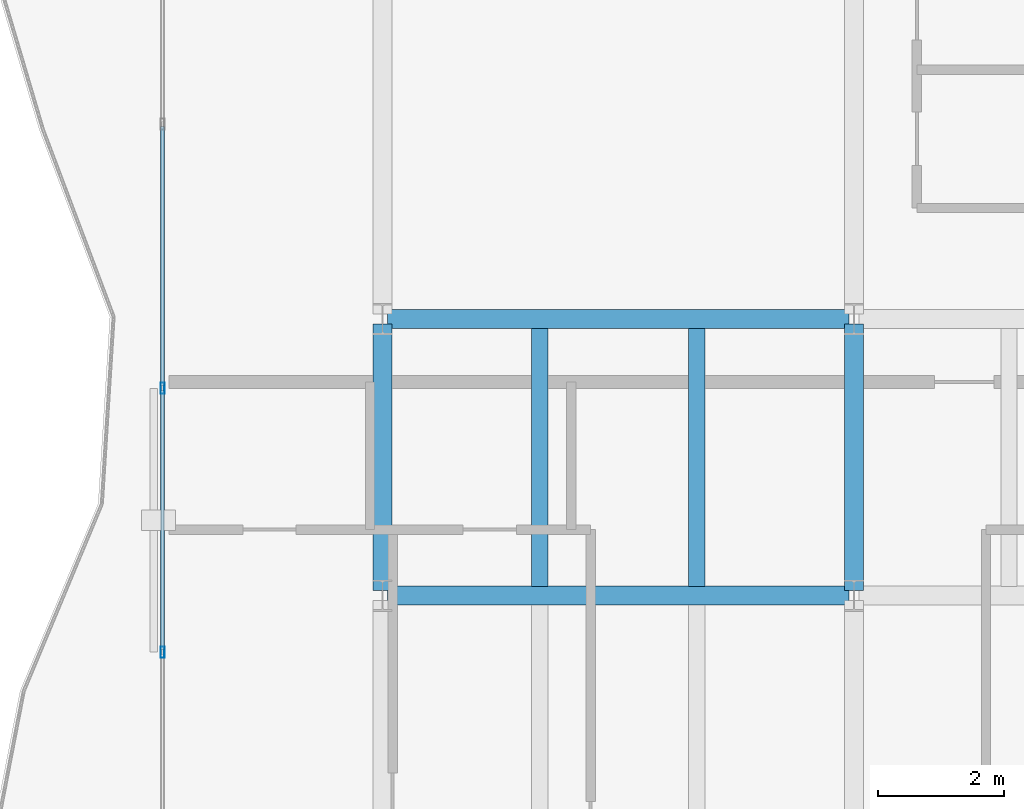
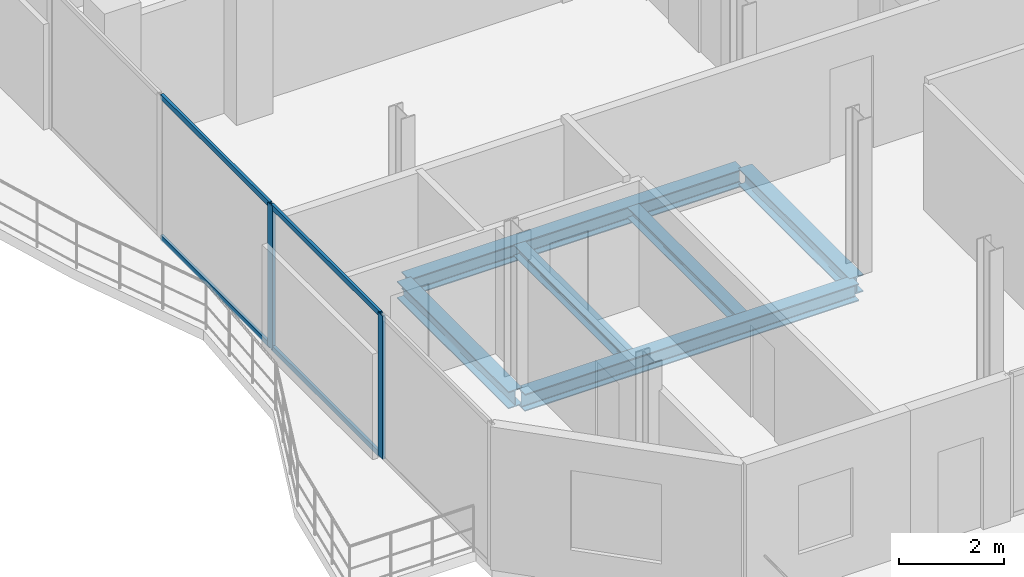
# One storey, part 5 of 23: 6 beams, 6 members, 1 element without a shape of its own.
"""IFC4 building model written with IfcOpenShell, lengths in metres."""

from ifc_helpers import new_model, si_unit, direction, frame, origin, origin_2d, place, context, subcontext, project, spatial, hollow_rectangle, i_section, extrude, material, layer, layer_set, material_profile, profile_set, type_object, element, aggregate, save


model = new_model("IFC4")

# Units and contexts
model_context = context("Model", 3, precision=1e-05, world=origin(), true_north=direction((0.0, 1.0)))
body_context = subcontext(model_context, "Body", "Model", "MODEL_VIEW")
ifc_project = project(units=[si_unit("LENGTHUNIT", "METRE"), si_unit("AREAUNIT", "SQUARE_METRE"), si_unit("VOLUMEUNIT", "CUBIC_METRE"), si_unit("PLANEANGLEUNIT", "RADIAN"), si_unit("MASSUNIT", "GRAM", prefix="KILO")], contexts=[model_context])

# Site, building, storey
site_placement = place(None, origin())
site = spatial("IfcSite", under=ifc_project, at=site_placement, CompositionType="ELEMENT")
building_placement = place(site_placement, origin())
building = spatial("IfcBuilding", under=site, at=building_placement, Name="Catumbela Crestline Tower", CompositionType="ELEMENT")
storey_placement = place(building_placement, frame((0.0, 0.0, 183.0)))
storey = spatial("IfcBuildingStorey", under=building, at=storey_placement, Name="L47", CompositionType="ELEMENT", Elevation=183.0)

# Beams
ifc_material_1 = material(Name="Structural steel S355J2", Category="steel")
ifc_material_profile_1 = material_profile(ifc_material_1, i_section(OverallWidth=0.3, OverallDepth=0.4, WebThickness=0.0135, FlangeThickness=0.024, FilletRadius=0.027, at=origin_2d()), Name="HEB 400")
ifc_profile_set_1 = profile_set([ifc_material_profile_1], Name="Structural steel S355J2")
beam_type_1 = type_object("IfcBeamType", Name="BG-HEB400", PredefinedType="BEAM", material=ifc_profile_set_1)
for number, where, z_axis, x_axis, name in (
    (1, (8.58, 13.6, -0.46), (1.0, 0.0, 0.0), (0.0, 1.0, 0.0), "L47 Beam BM-L47-WEW33"),
    (2, (8.58, 18.0, -0.46), (1.0, 0.0, 0.0), (0.0, 1.0, 0.0), "L47 Beam BM-L47-WEW35"),
):
    element("IfcBeam", number, at=place(storey_placement, frame(where, z_axis=z_axis, x_axis=x_axis)), inside=storey, type_object=beam_type_1, Name=name, PredefinedType="BEAM", context=body_context, shape_type="SweptSolid", body=[
        extrude(i_section(OverallWidth=0.3, OverallDepth=0.4, WebThickness=0.0135, FlangeThickness=0.024, FilletRadius=0.027, at=origin_2d()), origin(), (0.0, 0.0, 1.0), 7.34),
    ])
for number, where, z_axis, x_axis, name in (
    (3, (8.5, 13.68, -0.46), (0.0, 1.0, 0.0), (-1.0, 0.0, 0.0), "L47 Beam BM-L47-WNS38"),
    (4, (16.0, 13.68, -0.46), (0.0, 1.0, 0.0), (-1.0, 0.0, 0.0), "L47 Beam BM-L47-WNS41"),
):
    element("IfcBeam", number, at=place(storey_placement, frame(where, z_axis=z_axis, x_axis=x_axis)), inside=storey, type_object=beam_type_1, Name=name, PredefinedType="BEAM", context=body_context, shape_type="SweptSolid", body=[
        extrude(i_section(OverallWidth=0.3, OverallDepth=0.4, WebThickness=0.0135, FlangeThickness=0.024, FilletRadius=0.027, at=origin_2d()), origin(), (0.0, 0.0, 1.0), 4.24),
    ])
ifc_material_profile_2 = material_profile(ifc_material_1, i_section(OverallWidth=0.26, OverallDepth=0.25, WebThickness=0.0075, FlangeThickness=0.0125, FilletRadius=0.024, at=origin_2d()), Name="HEA 260")
ifc_profile_set_2 = profile_set([ifc_material_profile_2], Name="Structural steel S355J2")
beam_type_2 = type_object("IfcBeamType", Name="BJ-HEA260", PredefinedType="JOIST", material=ifc_profile_set_2)
for number, where, z_axis, x_axis, name in (
    (5, (11.0, 13.747, -0.385), (0.0, 1.0, 0.0), (-1.0, 0.0, 0.0), "L47 Joist JS-L47-WG46"),
    (6, (13.5, 13.747, -0.385), (0.0, 1.0, 0.0), (-1.0, 0.0, 0.0), "L47 Joist JS-L47-WG47"),
):
    element("IfcBeam", number, at=place(storey_placement, frame(where, z_axis=z_axis, x_axis=x_axis)), inside=storey, type_object=beam_type_2, Name=name, PredefinedType="JOIST", context=body_context, shape_type="SweptSolid", body=[
        extrude(i_section(OverallWidth=0.26, OverallDepth=0.25, WebThickness=0.0075, FlangeThickness=0.0125, FilletRadius=0.024, at=origin_2d()), origin(), (0.0, 0.0, 1.0), 4.106),
    ])

# Curtain wall, members
ifc_material_2 = material(Name="Aluminium alloy AW-6060-T66", Category="aluminium")
ifc_layer = layer(ifc_material_2, 0.18, Name="Aluminium alloy AW-6060-T66")
ifc_layer_set = layer_set([ifc_layer], Name="Aluminium alloy AW-6060-T66")
curtain_wall_type = type_object("IfcCurtainWallType", Name="CWU-Z3", PredefinedType="USERDEFINED", material=ifc_layer_set)
curtain_wall_placement = place(storey_placement, origin())
curtain_wall = element("IfcCurtainWall", 7, at=curtain_wall_placement, inside=storey, type_object=curtain_wall_type, Name="L47 Unitised Curtain Wall CW-L47-E9S2", ObjectType="UNITISED", PredefinedType="USERDEFINED")
ifc_material_profile_3 = material_profile(ifc_material_2, hollow_rectangle(XDim=0.065, YDim=0.18, WallThickness=0.004, at=origin_2d()), Name="ALU 180x65x4")
ifc_profile_set_3 = profile_set([ifc_material_profile_3], Name="Aluminium alloy AW-6060-T66")
member_type_1 = type_object("IfcMemberType", Name="MUL-180X65", PredefinedType="MULLION", material=ifc_profile_set_3)
member_1_placement = place(storey_placement, frame((5.0, 16.9, 0.0), z_axis=(0.0, 0.0, 1.0), x_axis=(1.0, 0.0, 0.0)))
member_1 = element("IfcMember", 8, at=member_1_placement, type_object=member_type_1, Name="CWU-Z3 mullion 5", PredefinedType="MULLION", context=body_context, shape_type="SweptSolid", body=[
    extrude(hollow_rectangle(XDim=0.065, YDim=0.18, WallThickness=0.004, at=origin_2d()), origin(), (0.0, 0.0, 1.0), 3.33),
])
member_2_placement = place(storey_placement, frame((5.0, 12.7, 0.0), z_axis=(0.0, 0.0, 1.0), x_axis=(1.0, 0.0, 0.0)))
member_2 = element("IfcMember", 9, at=member_2_placement, type_object=member_type_1, Name="CWU-Z3 mullion 6", PredefinedType="MULLION", context=body_context, shape_type="SweptSolid", body=[
    extrude(hollow_rectangle(XDim=0.065, YDim=0.18, WallThickness=0.004, at=origin_2d()), origin(), (0.0, 0.0, 1.0), 3.33),
])
ifc_material_profile_4 = material_profile(ifc_material_2, hollow_rectangle(XDim=0.06, YDim=0.12, WallThickness=0.0035, at=origin_2d()), Name="ALU 120x60x3.5")
ifc_profile_set_4 = profile_set([ifc_material_profile_4], Name="Aluminium alloy AW-6060-T66")
member_type_2 = type_object("IfcMemberType", Name="TRN-120X60", PredefinedType="USERDEFINED", material=ifc_profile_set_4)
member_3_placement = place(storey_placement, frame((5.0, 21.0675, 0.03), z_axis=(0.0, -1.0, 0.0), x_axis=(1.0, 0.0, 0.0)))
member_3 = element("IfcMember", 10, at=member_3_placement, type_object=member_type_2, Name="CWU-Z3 transom 4.1", ObjectType="TRANSOM", PredefinedType="USERDEFINED", context=body_context, shape_type="SweptSolid", body=[
    extrude(hollow_rectangle(XDim=0.06, YDim=0.12, WallThickness=0.0035, at=origin_2d()), origin(), (0.0, 0.0, 1.0), 4.135),
])
member_4_placement = place(storey_placement, frame((5.0, 21.0675, 3.3), z_axis=(0.0, -1.0, 0.0), x_axis=(1.0, 0.0, 0.0)))
member_4 = element("IfcMember", 11, at=member_4_placement, type_object=member_type_2, Name="CWU-Z3 transom 4.2", ObjectType="TRANSOM", PredefinedType="USERDEFINED", context=body_context, shape_type="SweptSolid", body=[
    extrude(hollow_rectangle(XDim=0.06, YDim=0.12, WallThickness=0.0035, at=origin_2d()), origin(), (0.0, 0.0, 1.0), 4.135),
])
member_5_placement = place(storey_placement, frame((5.0, 16.8675, 0.03), z_axis=(0.0, -1.0, 0.0), x_axis=(1.0, 0.0, 0.0)))
member_5 = element("IfcMember", 12, at=member_5_placement, type_object=member_type_2, Name="CWU-Z3 transom 5.1", ObjectType="TRANSOM", PredefinedType="USERDEFINED", context=body_context, shape_type="SweptSolid", body=[
    extrude(hollow_rectangle(XDim=0.06, YDim=0.12, WallThickness=0.0035, at=origin_2d()), origin(), (0.0, 0.0, 1.0), 4.135),
])
member_6_placement = place(storey_placement, frame((5.0, 16.8675, 3.3), z_axis=(0.0, -1.0, 0.0), x_axis=(1.0, 0.0, 0.0)))
member_6 = element("IfcMember", 13, at=member_6_placement, type_object=member_type_2, Name="CWU-Z3 transom 5.2", ObjectType="TRANSOM", PredefinedType="USERDEFINED", context=body_context, shape_type="SweptSolid", body=[
    extrude(hollow_rectangle(XDim=0.06, YDim=0.12, WallThickness=0.0035, at=origin_2d()), origin(), (0.0, 0.0, 1.0), 4.135),
])
aggregate(curtain_wall, [member_1, member_2, member_3, member_4, member_5, member_6])

save(model, "model.ifc")
